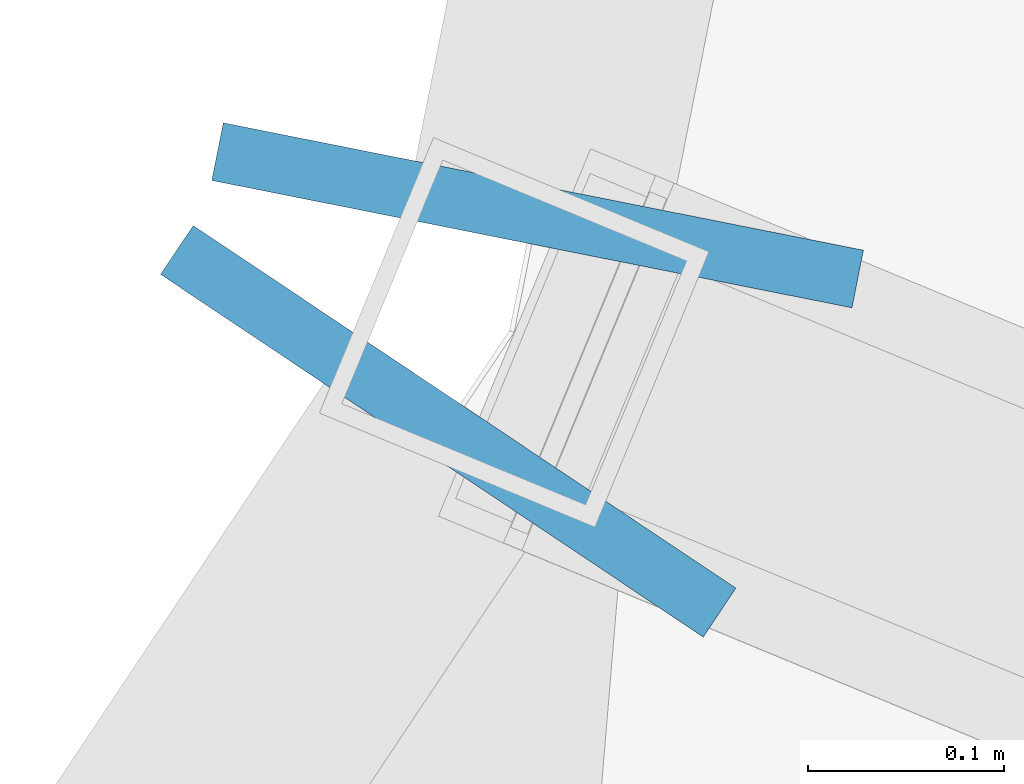
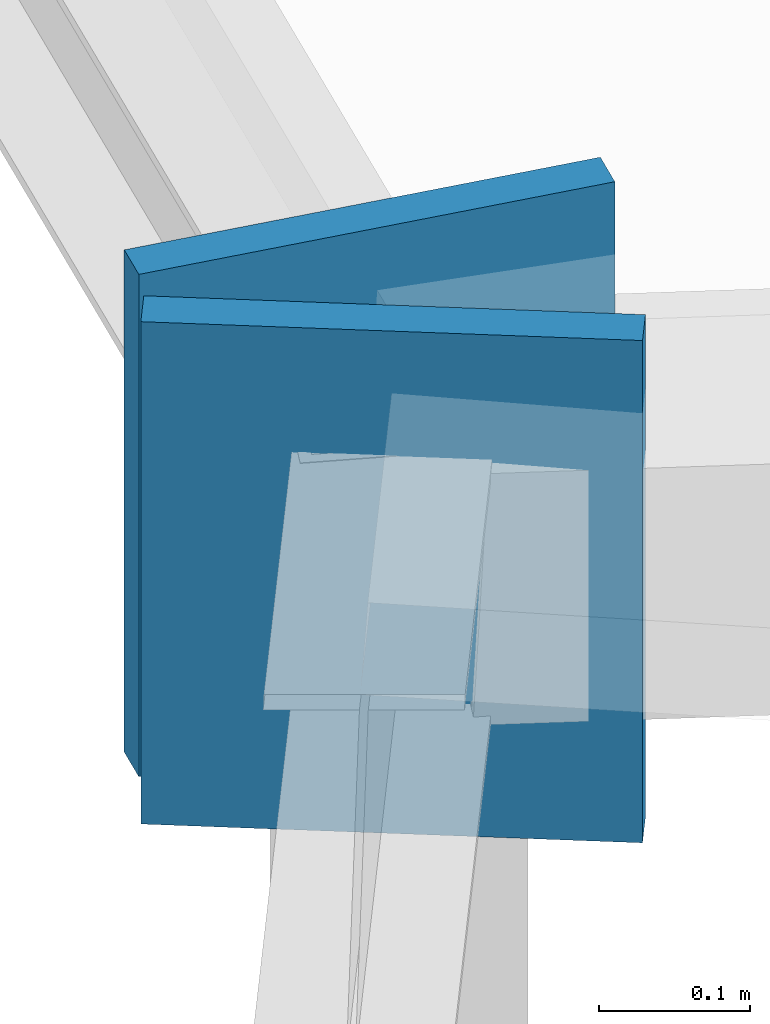
# One storey, part 180 of 278: 2 discrete accessories.
"""IFC4 building model written with IfcOpenShell, lengths in metres."""

from ifc_helpers import new_model, si_unit, direction, frame, origin, origin_2d, place, context, subcontext, project, spatial, rectangle, extrude, material, layer, layer_set, type_object, element, save


model = new_model("IFC4")

# Units and contexts
model_context = context("Model", 3, precision=1e-05, world=origin(), true_north=direction((0.0, 1.0)))
body_context = subcontext(model_context, "Body", "Model", "MODEL_VIEW")
ifc_project = project(units=[si_unit("LENGTHUNIT", "METRE"), si_unit("AREAUNIT", "SQUARE_METRE"), si_unit("VOLUMEUNIT", "CUBIC_METRE"), si_unit("PLANEANGLEUNIT", "RADIAN"), si_unit("MASSUNIT", "GRAM", prefix="KILO")], contexts=[model_context])

# Site, building, storey
site_placement = place(None, origin())
site = spatial("IfcSite", under=ifc_project, at=site_placement, CompositionType="ELEMENT")
building_placement = place(site_placement, origin())
building = spatial("IfcBuilding", under=site, at=building_placement, Name="Ogive Plaza Stadium", CompositionType="ELEMENT")
storey_placement = place(building_placement, frame((0.0, 0.0, 29.0)))
storey = spatial("IfcBuildingStorey", under=building, at=storey_placement, Name="Roof", CompositionType="ELEMENT", Elevation=29.0)

# Discrete accessories
ifc_material = material(Name="Steel ASTM A992 Grade 50", Category="steel")
ifc_layer = layer(ifc_material, 0.030029296875)
ifc_layer_set = layer_set([ifc_layer], Name="Steel ASTM A992 Grade 50")
discrete_accessory_type = type_object("IfcDiscreteAccessoryType", Name="Ring beam end plate 30", PredefinedType="ANCHORPLATE", material=ifc_layer_set)
for number, where, z_axis, x_axis, name in (
    (1, (44.636474609375, -56.841064453125, 7.1181640625), (0.0, 0.0, 1.0), (-0.195090321862, -0.980785280434, 0.0), "RING BEAM END PLATE B08 2"),
    (2, (44.5908203125, -56.951416015625, 7.1181640625), (0.0, 0.0, 1.0), (-0.555570232976, -0.831469612332, 0.0), "RING BEAM END PLATE B09 1"),
):
    element("IfcDiscreteAccessory", number, at=place(storey_placement, frame(where, z_axis=z_axis, x_axis=x_axis)), inside=storey, type_object=discrete_accessory_type, Name=name, PredefinedType="ANCHORPLATE", context=body_context, shape_type="SweptSolid", body=[
        extrude(rectangle(XDim=0.030029296875, YDim=0.33349609375, at=origin_2d()), origin(), (0.0, 0.0, 1.0), 0.40673828125),
    ])

save(model, "model.ifc")
